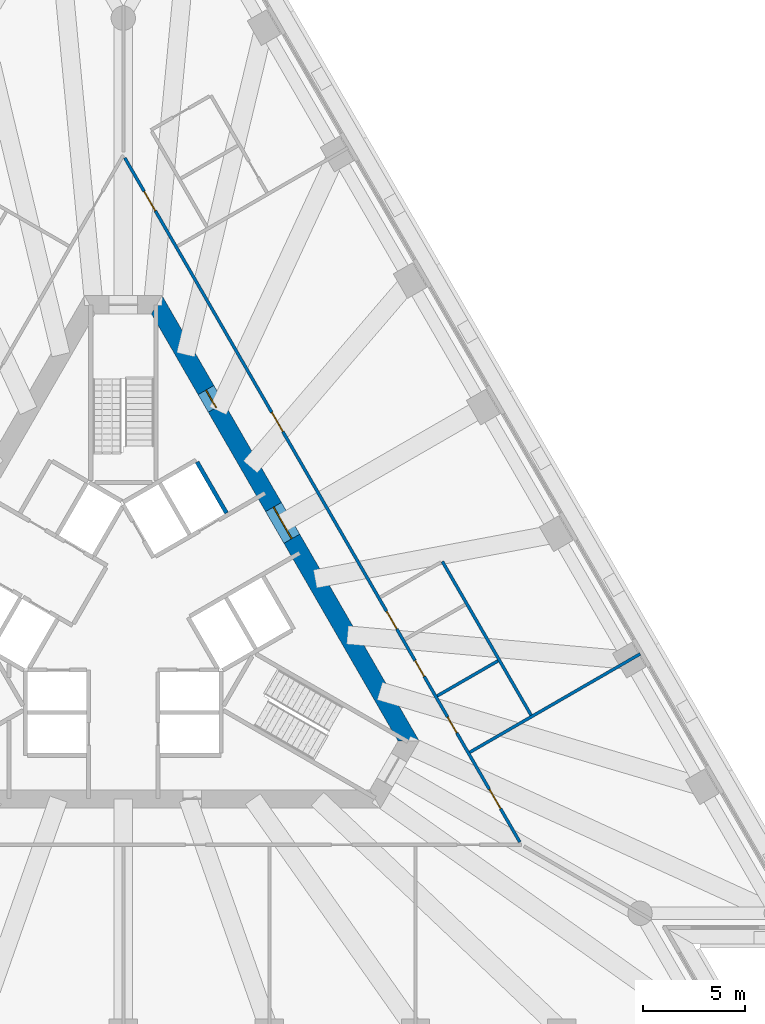
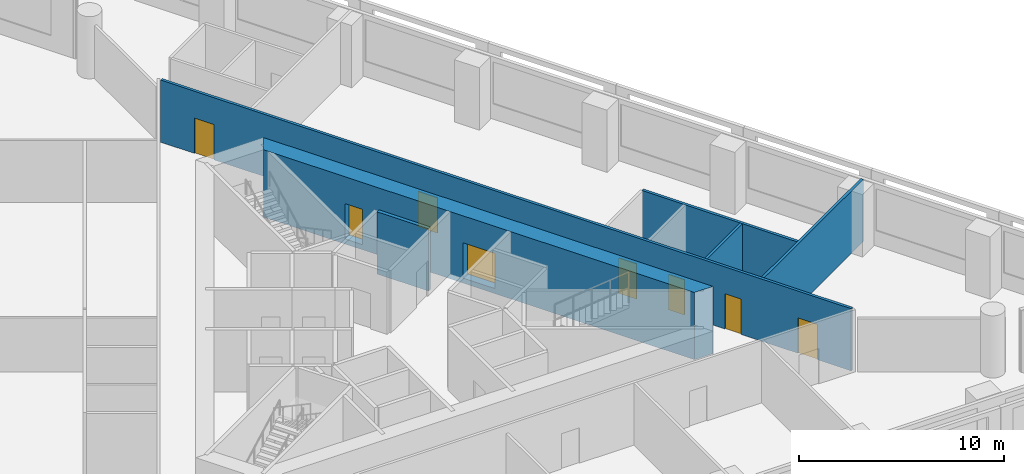
# One storey, part 6 of 11: 8 doors, 6 walls, 8 openings.
"""IFC4 building model written with IfcOpenShell, lengths in metres."""

import ifcopenshell
import ifcopenshell.guid

model = None  # the IFC model being written
_history = None  # IfcOwnerHistory: only IFC2X3 demands one
_inside = {}  # id of a spatial element -> (the spatial element, [elements in it])
_under = {}  # id of a project, library or spatial element -> (it, [spatial elements below it])
_declared = {}  # id of a project -> (the project, [libraries it declares])
_typed = {}  # id of a type object -> (the type object, [elements of that type])
_made_of = {}  # id of a material, layer set ... -> (it, [elements and type objects made of it])


def new_model(schema):
    """Start an empty IFC model of exactly this schema.

    Asked for "IFC4X3", IfcOpenShell would pick the latest addendum, in which some entities
    have other attributes; the version numbers below select the first issue.
    IFC2X3 requires an IfcOwnerHistory on every rooted entity: one is made here for all.
    """
    global model, _history
    if schema == "IFC4X3":
        model = ifcopenshell.file(schema_version=(4, 3, 0, 0))
    else:
        model = ifcopenshell.file(schema=schema)
    _inside.clear()
    _under.clear()
    _declared.clear()
    _typed.clear()
    _made_of.clear()
    _history = None
    if model.schema == "IFC2X3":
        org = make("IfcOrganization", Name="unknown")
        user = make(
            "IfcPersonAndOrganization",
            ThePerson=make("IfcPerson", FamilyName="unknown"),
            TheOrganization=org,
        )
        app = make(
            "IfcApplication",
            ApplicationDeveloper=org,
            Version="unknown",
            ApplicationFullName="unknown",
            ApplicationIdentifier="unknown",
        )
        _history = make(
            "IfcOwnerHistory",
            OwningUser=user,
            OwningApplication=app,
            ChangeAction="ADDED",
            CreationDate=0,
        )
    return model


def make(cls, **values):
    """One entity of the class cls with the attributes given. An attribute that is None is left unset."""
    return model.create_entity(
        cls, **{name: value for name, value in values.items() if value is not None}
    )


def rooted(cls, **values):
    """An entity with a GlobalId (a new one), such as an element, a storey or a relation."""
    return make(cls, GlobalId=ifcopenshell.guid.new(), OwnerHistory=_history, **values)


def si_unit(unit_type, name, prefix=None):
    """IfcSIUnit, for example si_unit("LENGTHUNIT", "METRE", prefix="MILLI")."""
    return make("IfcSIUnit", UnitType=unit_type, Prefix=prefix, Name=name)


def assignment(units):
    """IfcUnitAssignment: the units of a project."""
    return None if units is None else make("IfcUnitAssignment", Units=units)


def point(xyz):
    """IfcCartesianPoint."""
    return None if xyz is None else make("IfcCartesianPoint", Coordinates=xyz)


def direction(xyz):
    """IfcDirection."""
    return None if xyz is None else make("IfcDirection", DirectionRatios=xyz)


def frame(location, z_axis=None, x_axis=None):
    """IfcAxis2Placement3D, a coordinate frame: its origin and axes. An axis left out is left unset."""
    return make(
        "IfcAxis2Placement3D",
        Location=point(location),
        Axis=direction(z_axis),
        RefDirection=direction(x_axis),
    )


def frame_2d(location, x_axis=None):
    """IfcAxis2Placement2D, a coordinate frame in the plane: its origin and x axis."""
    return make(
        "IfcAxis2Placement2D", Location=point(location), RefDirection=direction(x_axis)
    )


def origin():
    """The frame at (0, 0, 0) with its axes left unset."""
    return frame((0.0, 0.0, 0.0))


def place(relative_to, where):
    """IfcLocalPlacement: puts the frame where relative to a parent placement (None: the world)."""
    return make(
        "IfcLocalPlacement", PlacementRelTo=relative_to, RelativePlacement=where
    )


def context(
    kind, dimensions, precision=None, world=None, true_north=None, identifier=None
):
    """IfcGeometricRepresentationContext, for example the 3D "Model" context."""
    return make(
        "IfcGeometricRepresentationContext",
        ContextIdentifier=identifier,
        ContextType=kind,
        CoordinateSpaceDimension=dimensions,
        Precision=precision,
        WorldCoordinateSystem=world,
        TrueNorth=true_north,
    )


def subcontext(parent, identifier, kind, view, scale=None):
    """IfcGeometricRepresentationSubContext, for example "Body" below "Model"."""
    return make(
        "IfcGeometricRepresentationSubContext",
        ContextIdentifier=identifier,
        ContextType=kind,
        ParentContext=parent,
        TargetScale=scale,
        TargetView=view,
    )


def project(units=None, contexts=None):
    """IfcProject with its units and contexts."""
    return rooted(
        "IfcProject",
        Name="project",
        RepresentationContexts=contexts,
        UnitsInContext=assignment(units),
    )


def spatial(cls, under=None, at=None, **own):
    """A site, building, storey or space (cls), placed at a placement, below another one or the project."""
    s = rooted(cls, ObjectPlacement=at, **own)
    if under is not None:
        _under.setdefault(under.id(), (under, []))[1].append(s)
    return s


def polyline(points):
    """IfcPolyline through the points."""
    return make("IfcPolyline", Points=[point(p) for p in points])


def profile(cls, at=None, kind="AREA", **sizes):
    """A parametric profile (cls). Its sizes go by their IFC names, for example OverallWidth=200.0."""
    return make(cls, ProfileType=kind, Position=at, **sizes)


def rectangle(**sizes):
    """IfcRectangleProfileDef."""
    return profile("IfcRectangleProfileDef", **sizes)


def outline(outer, holes=None, kind="AREA"):
    """IfcArbitraryClosedProfileDef: a profile drawn as a closed curve; with holes, ...WithVoids."""
    if holes is None:
        return make("IfcArbitraryClosedProfileDef", ProfileType=kind, OuterCurve=outer)
    return make(
        "IfcArbitraryProfileDefWithVoids",
        ProfileType=kind,
        OuterCurve=outer,
        InnerCurves=holes,
    )


def extrude(swept, where, along, depth):
    """IfcExtrudedAreaSolid: the profile swept, set in the frame where, extruded along a direction by depth."""
    return make(
        "IfcExtrudedAreaSolid",
        SweptArea=swept,
        Position=where,
        ExtrudedDirection=direction(along),
        Depth=depth,
    )


def shape(context_of_items, identifier, shape_type, items):
    """IfcShapeRepresentation: the items that make up one representation, for example the "Body"."""
    return make(
        "IfcShapeRepresentation",
        ContextOfItems=context_of_items,
        RepresentationIdentifier=identifier,
        RepresentationType=shape_type,
        Items=items,
    )


def material(Name=None, Category=None):
    """IfcMaterial."""
    return make("IfcMaterial", Name=Name, Category=Category)


def layer(
    of_material, thickness, ventilated=None, Name=None, Category=None, Priority=None
):
    """IfcMaterialLayer: one layer of a wall or slab, of a material (None: an air gap)."""
    return make(
        "IfcMaterialLayer",
        Material=of_material,
        LayerThickness=thickness,
        IsVentilated=ventilated,
        Name=Name,
        Category=Category,
        Priority=Priority,
    )


def layer_set(layers, Name=None):
    """IfcMaterialLayerSet."""
    return make("IfcMaterialLayerSet", MaterialLayers=layers, LayerSetName=Name)


def made_of(thing, what):
    """Note that an element or type object is made of a material, layer set ...; save() writes the relation."""
    if what is not None:
        _made_of.setdefault(what.id(), (what, []))[1].append(thing)
    return thing


def type_object(cls, material=None, **own):
    """A type object (cls), such as IfcWallType, which elements share."""
    return made_of(rooted(cls, **own), material)


def element(
    cls,
    number,
    at=None,
    inside=None,
    cuts=None,
    type_object=None,
    material=None,
    context=None,
    identifier="Body",
    shape_type=None,
    held_by="IfcProductDefinitionShape",
    body=None,
    shapes=None,
    **own,
):
    """One element of the class cls, such as IfcWall. Its Tag is "e" and its number.

    at: its placement. inside: the storey or other place that contains it. cuts: it is an
    opening in that element (IfcRelVoidsElement). A single representation is given by context,
    identifier, shape_type and body (its items); several are given by shapes. held_by: the class
    of the entity that holds the representations. save() writes the other relations.
    """
    e = rooted(cls, Tag="e%d" % number, ObjectPlacement=at, **own)
    if body is not None:
        shapes = [shape(context, identifier, shape_type, body)]
    if shapes is not None:
        e.Representation = make(held_by, Representations=shapes)
    if inside is not None:
        _inside.setdefault(inside.id(), (inside, []))[1].append(e)
    if cuts is not None:
        rooted(
            "IfcRelVoidsElement", RelatingBuildingElement=cuts, RelatedOpeningElement=e
        )
    if type_object is not None:
        _typed.setdefault(type_object.id(), (type_object, []))[1].append(e)
    return made_of(e, material)


def fill(opening, filler):
    """IfcRelFillsElement: the door or window that sits in an opening."""
    return rooted(
        "IfcRelFillsElement",
        RelatingOpeningElement=opening,
        RelatedBuildingElement=filler,
    )


def aggregate(whole, parts):
    """IfcRelAggregates: a whole, such as a stair, and the parts it consists of."""
    return rooted("IfcRelAggregates", RelatingObject=whole, RelatedObjects=parts)


def save(model, path):
    """Write the relations noted so far, then the file.

    IfcRelAggregates (storeys below a building ...), IfcRelContainedInSpatialStructure (elements
    in a storey), IfcRelDefinesByType, IfcRelAssociatesMaterial and IfcRelDeclares: one each for
    every whole, place, type object, material and project.
    """
    for whole, parts in _under.values():
        aggregate(whole, parts)
    for where, things in _inside.values():
        rooted(
            "IfcRelContainedInSpatialStructure",
            RelatedElements=things,
            RelatingStructure=where,
        )
    for kind, things in _typed.values():
        rooted("IfcRelDefinesByType", RelatedObjects=things, RelatingType=kind)
    for what, things in _made_of.values():
        rooted("IfcRelAssociatesMaterial", RelatedObjects=things, RelatingMaterial=what)
    for by, libraries in _declared.values():
        rooted("IfcRelDeclares", RelatingContext=by, RelatedDefinitions=libraries)
    model.write(path)


model = new_model("IFC4")

# Units and contexts
model_context = context("Model", 3, precision=1e-05, world=origin(), true_north=direction((0.0, 1.0)))
body_context = subcontext(model_context, "Body", "Model", "MODEL_VIEW")
ifc_project = project(units=[si_unit("LENGTHUNIT", "METRE"), si_unit("AREAUNIT", "SQUARE_METRE"), si_unit("VOLUMEUNIT", "CUBIC_METRE"), si_unit("PLANEANGLEUNIT", "RADIAN"), si_unit("MASSUNIT", "GRAM", prefix="KILO")], contexts=[model_context])

# Site, building, storey
site_placement = place(None, origin())
site = spatial("IfcSite", under=ifc_project, at=site_placement, CompositionType="ELEMENT")
building_placement = place(site_placement, origin())
building = spatial("IfcBuilding", under=site, at=building_placement, Name="Triada Interchange Tower", CompositionType="ELEMENT")
storey_placement = place(building_placement, frame((0.0, 0.0, 91.300048828125)))
storey = spatial("IfcBuildingStorey", under=building, at=storey_placement, Name="L20", CompositionType="ELEMENT", Elevation=91.300048828125)

# Wall
ifc_material_1 = material(Name="Concrete C30/37", Category="concrete")
ifc_layer_1 = layer(ifc_material_1, 0.199951171875)
ifc_layer_set_1 = layer_set([ifc_layer_1], Name="CORE WALL 200 EI 120")
wall_type_1 = type_object("IfcWallType", Name="CORE WALL 200 EI 120", PredefinedType="SOLIDWALL", material=ifc_layer_set_1)
wall_1_placement = place(storey_placement, frame((3.6259765625, 7.52001953125, 0.0), z_axis=(0.0, 0.0, 1.0), x_axis=(0.500060147554, -0.865990674793, 0.0)))
element("IfcWall", 1, at=wall_1_placement, inside=storey, type_object=wall_type_1, Name="Wall L18 59", PredefinedType="SOLIDWALL", context=body_context, shape_type="SweptSolid", body=[
    extrude(rectangle(XDim=2.899658203125, YDim=0.199951171875, at=frame_2d((1.44970703125, 0.0))), origin(), (0.0, 0.0, 1.0), 3.699951171875),
])

# Wall, openings, doors
ifc_material_2 = material(Name="Concrete C70/85", Category="concrete")
ifc_layer_2 = layer(ifc_material_2, 0.89990234375)
ifc_layer_set_2 = layer_set([ifc_layer_2], Name="Core wall A 900")
wall_type_2 = type_object("IfcWallType", Name="Core wall A 900", PredefinedType="SHEAR", material=ifc_layer_set_2)
wall_2_placement = place(storey_placement, frame((14.030029296875, -6.199951171875, -0.300048828125), z_axis=(0.0, 0.0, 1.0), x_axis=(-0.500026485275, 0.866010111964, 0.0)))
wall_2 = element("IfcWall", 2, at=wall_2_placement, inside=storey, type_object=wall_type_2, Name="Core wall WA06 L20", PredefinedType="SHEAR", context=body_context, shape_type="SweptSolid", body=[
    extrude(outline(polyline([(-0.260009765625, -0.448974609375), (1.685302734375, -0.448974609375), (3.63037109375, -0.44921875), (5.57568359375, -0.44921875), (7.52099609375, -0.44921875), (9.466064453125, -0.449462890625), (11.411376953125, -0.449462890625), (13.356689453125, -0.449462890625), (15.302001953125, -0.449462890625), (17.2470703125, -0.44970703125), (19.1923828125, -0.44970703125), (21.1376953125, -0.44970703125), (23.082763671875, -0.449951171875), (25.028076171875, -0.449951171875), (24.509033203125, 0.448974609375), (22.643798828125, 0.448974609375), (20.7783203125, 0.44921875), (18.9130859375, 0.44921875), (17.0478515625, 0.44921875), (15.182373046875, 0.449462890625), (13.317138671875, 0.449462890625), (11.451904296875, 0.449462890625), (9.586669921875, 0.449462890625), (7.72119140625, 0.44970703125), (5.85595703125, 0.44970703125), (3.99072265625, 0.44970703125), (2.125244140625, 0.449951171875), (0.260009765625, 0.449951171875), (-0.260009765625, -0.448974609375)])), origin(), (0.0, 0.0, 1.0), 4.0),
])
opening_1_placement = place(wall_2_placement, frame((11.48388671875, 0.0, 0.300048828125)))
opening_1 = element("IfcOpeningElement", 3, at=opening_1_placement, cuts=wall_2, Name="Opening D18-38", PredefinedType="OPENING", context=body_context, shape_type="SweptSolid", body=[
    extrude(rectangle(XDim=1.800048828125, YDim=2.10009765625, at=frame_2d((0.89990234375, 1.050048828125))), frame((0.0, 0.4599609375, 0.0), z_axis=(0.0, -1.0, 0.0), x_axis=(1.0, 0.0, 0.0)), (0.0, 0.0, 1.0), 0.919921875),
])
opening_2_placement = place(wall_2_placement, frame((18.926025390625, 0.0, 0.300048828125)))
opening_2 = element("IfcOpeningElement", 4, at=opening_2_placement, cuts=wall_2, Name="Opening D18-46", PredefinedType="OPENING", context=body_context, shape_type="SweptSolid", body=[
    extrude(rectangle(XDim=1.0, YDim=2.10009765625, at=frame_2d((0.5, 1.050048828125))), frame((0.0, 0.4599609375, 0.0), z_axis=(0.0, -1.0, 0.0), x_axis=(1.0, 0.0, 0.0)), (0.0, 0.0, 1.0), 0.919921875),
])
ifc_material_3 = material(Name="Steel S235 door leaf", Category="steel")
door_type_1 = type_object("IfcDoorType", Name="LOBBY DOOR 1800 EI2 90-C5S200", OperationType="DOUBLE_DOOR_SINGLE_SWING", PredefinedType="DOOR", material=ifc_material_3)
door_1_placement = place(opening_1_placement, origin())
door_1 = element("IfcDoor", 5, at=door_1_placement, inside=storey, type_object=door_type_1, Name="Door D18-38 L20", OperationType="DOUBLE_DOOR_SINGLE_SWING", OverallHeight=2.10009765625, OverallWidth=1.800048828125, PredefinedType="DOOR", context=body_context, shape_type="SweptSolid", body=[
    extrude(rectangle(XDim=1.800048828125, YDim=2.10009765625, at=frame_2d((0.89990234375, 1.050048828125))), frame((0.0, 0.02490234375, 0.0), z_axis=(0.0, -1.0, 0.0), x_axis=(1.0, 0.0, 0.0)), (0.0, 0.0, 1.0), 0.050048828125),
])
fill(opening_1, door_1)
door_type_2 = type_object("IfcDoorType", Name="SERVICE DOOR 1000 EI2 45-C5S200", OperationType="NOTDEFINED", PredefinedType="DOOR", material=ifc_material_3)
door_2_placement = place(opening_2_placement, origin())
door_2 = element("IfcDoor", 6, at=door_2_placement, inside=storey, type_object=door_type_2, Name="Door D18-46 L20", OperationType="SINGLE_SWING_LEFT", OverallHeight=2.10009765625, OverallWidth=1.0, PredefinedType="DOOR", context=body_context, shape_type="SweptSolid", body=[
    extrude(rectangle(XDim=1.0, YDim=2.10009765625, at=frame_2d((0.5, 1.050048828125))), frame((0.0, 0.02490234375, 0.0), z_axis=(0.0, -1.0, 0.0), x_axis=(1.0, 0.0, 0.0)), (0.0, 0.0, 1.0), 0.050048828125),
])
fill(opening_2, door_2)

ifc_material_4 = material(Name="Gypsum board partition")
ifc_layer_3 = layer(ifc_material_4, 0.14990234375)
ifc_layer_set_3 = layer_set([ifc_layer_3], Name="PARTITION 150 EI 180")
wall_type_3 = type_object("IfcWallType", Name="PARTITION 150 EI 180", PredefinedType="PARTITIONING", material=ifc_layer_set_3)
wall_3_placement = place(storey_placement, frame((0.074951171875, 22.469970703125, 0.0), z_axis=(0.0, 0.0, 1.0), x_axis=(0.500002280369, -0.866024087209, 0.0)))
wall_3 = element("IfcWall", 7, at=wall_3_placement, inside=storey, type_object=wall_type_3, Name="Wall L18 19", PredefinedType="PARTITIONING", context=body_context, shape_type="SweptSolid", body=[
    extrude(rectangle(XDim=38.843994140625, YDim=0.14990234375, at=frame_2d((19.421875, 0.0))), origin(), (0.0, 0.0, 1.0), 3.699951171875),
])
opening_3_placement = place(wall_3_placement, frame((35.843994140625, 0.0, 0.0)))
opening_3 = element("IfcOpeningElement", 8, at=opening_3_placement, cuts=wall_3, Name="Opening D18-20", PredefinedType="OPENING", context=body_context, shape_type="SweptSolid", body=[
    extrude(rectangle(XDim=1.10009765625, YDim=2.10009765625, at=frame_2d((0.550048828125, 1.050048828125))), frame((0.0, 0.0849609375, 0.0), z_axis=(0.0, -1.0, 0.0), x_axis=(1.0, 0.0, 0.0)), (0.0, 0.0, 1.0), 0.169921875),
])
opening_4_placement = place(wall_3_placement, frame((14.43994140625, 0.0, 0.0)))
opening_4 = element("IfcOpeningElement", 9, at=opening_4_placement, cuts=wall_3, Name="Opening D18-21", PredefinedType="OPENING", context=body_context, shape_type="SweptSolid", body=[
    extrude(rectangle(XDim=1.10009765625, YDim=2.10009765625, at=frame_2d((0.550048828125, 1.050048828125))), frame((0.0, 0.0849609375, 0.0), z_axis=(0.0, -1.0, 0.0), x_axis=(1.0, 0.0, 0.0)), (0.0, 0.0, 1.0), 0.169921875),
])
opening_5_placement = place(wall_3_placement, frame((31.739990234375, 0.0, 0.0)))
opening_5 = element("IfcOpeningElement", 10, at=opening_5_placement, cuts=wall_3, Name="Opening D18-22", PredefinedType="OPENING", context=body_context, shape_type="SweptSolid", body=[
    extrude(rectangle(XDim=0.89990234375, YDim=2.10009765625, at=frame_2d((0.449951171875, 1.050048828125))), frame((0.0, 0.0849609375, 0.0), z_axis=(0.0, -1.0, 0.0), x_axis=(1.0, 0.0, 0.0)), (0.0, 0.0, 1.0), 0.169921875),
])
opening_6_placement = place(wall_3_placement, frame((28.5400390625, 0.0, 0.0)))
opening_6 = element("IfcOpeningElement", 11, at=opening_6_placement, cuts=wall_3, Name="Opening D18-23", PredefinedType="OPENING", context=body_context, shape_type="SweptSolid", body=[
    extrude(rectangle(XDim=0.89990234375, YDim=2.10009765625, at=frame_2d((0.449951171875, 1.050048828125))), frame((0.0, 0.0849609375, 0.0), z_axis=(0.0, -1.0, 0.0), x_axis=(1.0, 0.0, 0.0)), (0.0, 0.0, 1.0), 0.169921875),
])
opening_7_placement = place(wall_3_placement, frame((25.739990234375, 0.0, 0.0)))
opening_7 = element("IfcOpeningElement", 12, at=opening_7_placement, cuts=wall_3, Name="Opening D18-24", PredefinedType="OPENING", context=body_context, shape_type="SweptSolid", body=[
    extrude(rectangle(XDim=1.0, YDim=2.10009765625, at=frame_2d((0.5, 1.050048828125))), frame((0.0, 0.0849609375, 0.0), z_axis=(0.0, -1.0, 0.0), x_axis=(1.0, 0.0, 0.0)), (0.0, 0.0, 1.0), 0.169921875),
])
opening_8_placement = place(wall_3_placement, frame((1.905029296875, 0.0, 0.0)))
opening_8 = element("IfcOpeningElement", 13, at=opening_8_placement, cuts=wall_3, Name="Opening D18-25", PredefinedType="OPENING", context=body_context, shape_type="SweptSolid", body=[
    extrude(rectangle(XDim=1.10009765625, YDim=2.10009765625, at=frame_2d((0.550048828125, 1.050048828125))), frame((0.0, 0.0849609375, 0.0), z_axis=(0.0, -1.0, 0.0), x_axis=(1.0, 0.0, 0.0)), (0.0, 0.0, 1.0), 0.169921875),
])
door_type_3 = type_object("IfcDoorType", Name="ROOM DOOR 1000 EI2 90-C5S200", OperationType="NOTDEFINED", PredefinedType="DOOR", material=ifc_material_3)
door_3_placement = place(opening_7_placement, origin())
door_3 = element("IfcDoor", 14, at=door_3_placement, inside=storey, type_object=door_type_3, Name="Door D18-24 L20", OperationType="SINGLE_SWING_LEFT", OverallHeight=2.10009765625, OverallWidth=1.0, PredefinedType="DOOR", context=body_context, shape_type="SweptSolid", body=[
    extrude(rectangle(XDim=1.0, YDim=2.10009765625, at=frame_2d((0.5, 1.050048828125))), frame((0.0, 0.02490234375, 0.0), z_axis=(0.0, -1.0, 0.0), x_axis=(1.0, 0.0, 0.0)), (0.0, 0.0, 1.0), 0.050048828125),
])
fill(opening_7, door_3)
door_type_4 = type_object("IfcDoorType", Name="ROOM DOOR 900 EI2 90-C5S200", OperationType="NOTDEFINED", PredefinedType="DOOR", material=ifc_material_3)
door_4_placement = place(opening_5_placement, origin())
door_4 = element("IfcDoor", 15, at=door_4_placement, inside=storey, type_object=door_type_4, Name="Door D18-22 L20", OperationType="SINGLE_SWING_LEFT", OverallHeight=2.10009765625, OverallWidth=0.89990234375, PredefinedType="DOOR", context=body_context, shape_type="SweptSolid", body=[
    extrude(rectangle(XDim=0.89990234375, YDim=2.10009765625, at=frame_2d((0.449951171875, 1.050048828125))), frame((0.0, 0.02490234375, 0.0), z_axis=(0.0, -1.0, 0.0), x_axis=(1.0, 0.0, 0.0)), (0.0, 0.0, 1.0), 0.050048828125),
])
fill(opening_5, door_4)
door_5_placement = place(opening_6_placement, origin())
door_5 = element("IfcDoor", 16, at=door_5_placement, inside=storey, type_object=door_type_4, Name="Door D18-23 L20", OperationType="SINGLE_SWING_RIGHT", OverallHeight=2.10009765625, OverallWidth=0.89990234375, PredefinedType="DOOR", context=body_context, shape_type="SweptSolid", body=[
    extrude(rectangle(XDim=0.89990234375, YDim=2.10009765625, at=frame_2d((0.449951171875, 1.050048828125))), frame((0.0, 0.02490234375, 0.0), z_axis=(0.0, -1.0, 0.0), x_axis=(1.0, 0.0, 0.0)), (0.0, 0.0, 1.0), 0.050048828125),
])
fill(opening_6, door_5)
door_type_5 = type_object("IfcDoorType", Name="TENANCY ENTRANCE DOOR 1100 EI2 90-C5S200", OperationType="NOTDEFINED", PredefinedType="DOOR", material=ifc_material_3)
door_6_placement = place(opening_3_placement, origin())
door_6 = element("IfcDoor", 17, at=door_6_placement, inside=storey, type_object=door_type_5, Name="Door D18-20 L20", OperationType="SINGLE_SWING_RIGHT", OverallHeight=2.10009765625, OverallWidth=1.10009765625, PredefinedType="DOOR", context=body_context, shape_type="SweptSolid", body=[
    extrude(rectangle(XDim=1.10009765625, YDim=2.10009765625, at=frame_2d((0.550048828125, 1.050048828125))), frame((0.0, 0.02490234375, 0.0), z_axis=(0.0, -1.0, 0.0), x_axis=(1.0, 0.0, 0.0)), (0.0, 0.0, 1.0), 0.050048828125),
])
fill(opening_3, door_6)
door_7_placement = place(opening_4_placement, origin())
door_7 = element("IfcDoor", 18, at=door_7_placement, inside=storey, type_object=door_type_5, Name="Door D18-21 L20", OperationType="SINGLE_SWING_RIGHT", OverallHeight=2.10009765625, OverallWidth=1.10009765625, PredefinedType="DOOR", context=body_context, shape_type="SweptSolid", body=[
    extrude(rectangle(XDim=1.10009765625, YDim=2.10009765625, at=frame_2d((0.550048828125, 1.050048828125))), frame((0.0, 0.02490234375, 0.0), z_axis=(0.0, -1.0, 0.0), x_axis=(1.0, 0.0, 0.0)), (0.0, 0.0, 1.0), 0.050048828125),
])
fill(opening_4, door_7)
door_8_placement = place(opening_8_placement, origin())
door_8 = element("IfcDoor", 19, at=door_8_placement, inside=storey, type_object=door_type_5, Name="Door D18-25 L20", OperationType="SINGLE_SWING_LEFT", OverallHeight=2.10009765625, OverallWidth=1.10009765625, PredefinedType="DOOR", context=body_context, shape_type="SweptSolid", body=[
    extrude(rectangle(XDim=1.10009765625, YDim=2.10009765625, at=frame_2d((0.550048828125, 1.050048828125))), frame((0.0, 0.02490234375, 0.0), z_axis=(0.0, -1.0, 0.0), x_axis=(1.0, 0.0, 0.0)), (0.0, 0.0, 1.0), 0.050048828125),
])
fill(opening_8, door_8)

# Walls
wall_4_placement = place(storey_placement, frame((15.68798828125, 2.6279296875, 0.0), z_axis=(0.0, 0.0, 1.0), x_axis=(0.499970334739, -0.866042530354, 0.0)))
element("IfcWall", 20, at=wall_4_placement, inside=storey, type_object=wall_type_3, Name="Wall L18 22", PredefinedType="PARTITIONING", context=body_context, shape_type="SweptSolid", body=[
    extrude(rectangle(XDim=8.724609375, YDim=0.14990234375, at=frame_2d((4.3623046875, 0.0))), origin(), (0.0, 0.0, 1.0), 3.699951171875),
])
wall_5_placement = place(storey_placement, frame((15.43505859375, -3.98388671875, 0.0), z_axis=(0.0, 0.0, 1.0), x_axis=(0.866061862632, 0.499936846106, 0.0)))
element("IfcWall", 21, at=wall_5_placement, inside=storey, type_object=wall_type_3, Name="Wall L18 26", PredefinedType="PARTITIONING", context=body_context, shape_type="SweptSolid", body=[
    extrude(rectangle(XDim=3.4501953125, YDim=0.14990234375, at=frame_2d((1.72509765625, 0.0))), origin(), (0.0, 0.0, 1.0), 3.699951171875),
])
wall_6_placement = place(storey_placement, frame((17.034912109375, -6.7548828125, 0.0), z_axis=(0.0, 0.0, 1.0), x_axis=(0.866035557451, 0.499982412921, 0.0)))
element("IfcWall", 22, at=wall_6_placement, inside=storey, type_object=wall_type_3, Name="Wall L18 27", PredefinedType="PARTITIONING", context=body_context, shape_type="SweptSolid", body=[
    extrude(rectangle(XDim=9.674072265625, YDim=0.14990234375, at=frame_2d((4.8369140625, 0.0))), origin(), (0.0, 0.0, 1.0), 3.699951171875),
])

save(model, "model.ifc")
